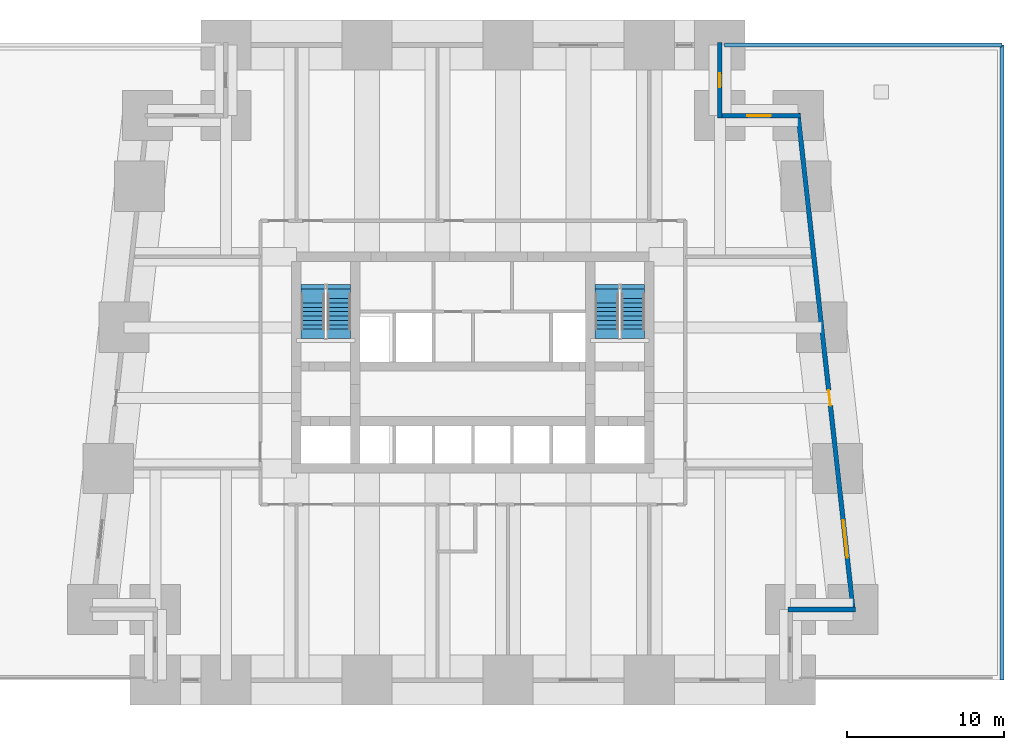
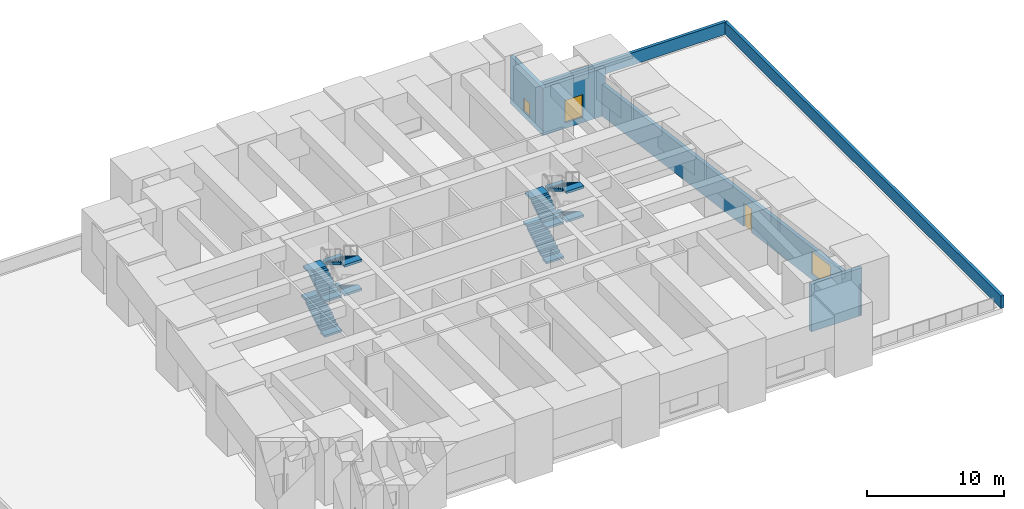
# One storey, part 5 of 7: 8 stair flights, 6 walls, 3 windows, 1 door, 4 openings, 2 elements without a shape of their own.
"""IFC4 building model written with IfcOpenShell, lengths in metres."""

from ifc_helpers import new_model, si_unit, direction, frame, frame_2d, origin, place, context, subcontext, project, spatial, polyline, rectangle, outline, extrude, material, layer, layer_set, type_object, element, fill, aggregate, save


model = new_model("IFC4")

# Units and contexts
model_context = context("Model", 3, precision=1e-05, world=origin(), true_north=direction((0.0, 1.0)))
body_context = subcontext(model_context, "Body", "Model", "MODEL_VIEW")
ifc_project = project(units=[si_unit("LENGTHUNIT", "METRE"), si_unit("AREAUNIT", "SQUARE_METRE"), si_unit("VOLUMEUNIT", "CUBIC_METRE"), si_unit("PLANEANGLEUNIT", "RADIAN"), si_unit("MASSUNIT", "GRAM", prefix="KILO")], contexts=[model_context])

# Site, building, storey
site_placement = place(None, origin())
site = spatial("IfcSite", under=ifc_project, at=site_placement, CompositionType="ELEMENT")
building_placement = place(site_placement, origin())
building = spatial("IfcBuilding", under=site, at=building_placement, Name="Kilele Tower Hotel", CompositionType="ELEMENT")
storey_placement = place(building_placement, frame((0.0, 0.0, 24.0)))
storey = spatial("IfcBuildingStorey", under=building, at=storey_placement, Name="L04", CompositionType="ELEMENT", Elevation=24.0)

# Walls
ifc_material_1 = material(Name="Concrete C40/50 precast", Category="concrete")
ifc_layer_1 = layer(ifc_material_1, 0.2099609375, Name="Precast backing", Category="LoadBearing")
ifc_material_2 = material(Name="Reconstituted stone finish", Category="masonry")
ifc_layer_2 = layer(ifc_material_2, 0.0400390625, Name="Face mix", Category="Finish")
ifc_layer_set_1 = layer_set([ifc_layer_1, ifc_layer_2], Name="Precast concrete C40/50, reconstituted stone finish")
wall_type_1 = type_object("IfcWallType", Name="Parapet wall 250", PredefinedType="PARAPET", material=ifc_layer_set_1)
wall_1_placement = place(storey_placement, frame((40.801025390625, 40.5, 0.0), z_axis=(0.0, 0.0, 1.0), x_axis=(1.0, 0.0, 0.0)))
element("IfcWall", 1, at=wall_1_placement, inside=storey, type_object=wall_type_1, Name="Podium roof parapet", PredefinedType="PARAPET", context=body_context, shape_type="SweptSolid", body=[
    extrude(rectangle(XDim=17.698974609375, YDim=0.25, at=frame_2d((8.849609375, 0.0))), origin(), (0.0, 0.0, 1.0), 1.10009765625),
])
wall_2_placement = place(storey_placement, frame((58.5, 40.5, 0.0), z_axis=(0.0, 0.0, 1.0), x_axis=(0.0, -1.0, 0.0)))
element("IfcWall", 2, at=wall_2_placement, inside=storey, type_object=wall_type_1, Name="Podium roof parapet", PredefinedType="PARAPET", context=body_context, shape_type="SweptSolid", body=[
    extrude(rectangle(XDim=40.5, YDim=0.25, at=frame_2d((20.25, 0.0))), origin(), (0.0, 0.0, 1.0), 1.10009765625),
])
ifc_material_3 = material(Name="Concrete C40/50 precast", Category="concrete")
ifc_layer_3 = layer(ifc_material_3, 0.260009765625, Name="Precast backing", Category="LoadBearing")
ifc_material_4 = material(Name="Reconstituted stone finish", Category="masonry")
ifc_layer_4 = layer(ifc_material_4, 0.0400390625, Name="Face mix", Category="Finish")
ifc_layer_set_2 = layer_set([ifc_layer_3, ifc_layer_4], Name="Precast concrete C40/50, reconstituted stone finish")
wall_type_2 = type_object("IfcWallType", Name="Precast stone facade wall 300", PredefinedType="STANDARD", material=ifc_layer_set_2)
wall_3_placement = place(storey_placement, frame((44.85009765625, 4.5, 0.0), z_axis=(0.0, 0.0, 1.0), x_axis=(1.0, 0.0, 0.0)))
element("IfcWall", 3, at=wall_3_placement, inside=storey, type_object=wall_type_2, Name="Facade wall L04 edge 5", PredefinedType="STANDARD", context=body_context, shape_type="SweptSolid", body=[
    extrude(rectangle(XDim=4.2998046875, YDim=0.300048828125, at=frame_2d((2.14990234375, 0.0))), origin(), (0.0, 0.0, 1.0), 4.25),
])

# Wall, openings, door, window
wall_4_placement = place(storey_placement, frame((49.0166015625, 4.350830078125, 0.0), z_axis=(0.0, 0.0, 1.0), x_axis=(-0.110433201132, 0.993883548555, 0.0)))
wall_4 = element("IfcWall", 4, at=wall_4_placement, inside=storey, type_object=wall_type_2, Name="Facade wall L04 edge 6", PredefinedType="STANDARD", context=body_context, shape_type="SweptSolid", body=[
    extrude(rectangle(XDim=31.994140625, YDim=0.300048828125, at=frame_2d((15.9970703125, 0.0))), origin(), (0.0, 0.0, 1.0), 2.85009765625),
])
opening_1_placement = place(wall_4_placement, frame((3.47802734375, 0.0, 0.5)))
opening_1 = element("IfcOpeningElement", 5, at=opening_1_placement, cuts=wall_4, Name="Opening LV1", PredefinedType="OPENING", context=body_context, shape_type="SweptSolid", body=[
    extrude(rectangle(XDim=2.39990234375, YDim=2.0, at=frame_2d((1.199951171875, 1.0))), frame((0.0, 0.159912109375, 0.0), z_axis=(0.0, -1.0, 0.0), x_axis=(1.0, 0.0, 0.0)), (0.0, 0.0, 1.0), 0.320068359375),
])
opening_2_placement = place(wall_4_placement, frame((13.23291015625, 0.0, 0.0)))
opening_2 = element("IfcOpeningElement", 6, at=opening_2_placement, cuts=wall_4, Name="Opening RD1", PredefinedType="OPENING", context=body_context, shape_type="SweptSolid", body=[
    extrude(rectangle(XDim=1.0, YDim=2.10009765625, at=frame_2d((0.5, 1.050048828125))), frame((0.0, 0.159912109375, 0.0), z_axis=(0.0, -1.0, 0.0), x_axis=(1.0, 0.0, 0.0)), (0.0, 0.0, 1.0), 0.320068359375),
])
ifc_material_5 = material(Name="Aluminium frame, clear glazing", Category="aluminium")
door_type = type_object("IfcDoorType", Name="Roof access door 1000", OperationType="SINGLE_SWING_LEFT", PredefinedType="DOOR", material=ifc_material_5)
door_placement = place(opening_2_placement, origin())
door = element("IfcDoor", 7, at=door_placement, inside=storey, type_object=door_type, Name="Roof access door L04", OperationType="SINGLE_SWING_LEFT", OverallHeight=2.10009765625, OverallWidth=1.0, PredefinedType="DOOR", context=body_context, shape_type="SweptSolid", body=[
    extrude(rectangle(XDim=1.0, YDim=2.10009765625, at=frame_2d((0.5, 1.050048828125))), frame((0.0, 0.02490234375, 0.0), z_axis=(0.0, -1.0, 0.0), x_axis=(1.0, 0.0, 0.0)), (0.0, 0.0, 1.0), 0.050048828125),
])
fill(opening_2, door)
ifc_material_6 = material(Name="Aluminium weather louvre with insect mesh", Category="aluminium")
window_type_1 = type_object("IfcWindowType", Name="Ventilation louvre 2400 x 2000", PartitioningType="SINGLE_PANEL", PredefinedType="USERDEFINED", material=ifc_material_6)
window_1_placement = place(opening_1_placement, origin())
window_1 = element("IfcWindow", 8, at=window_1_placement, inside=storey, type_object=window_type_1, Name="Louvre L04", ObjectType="LOUVRE", OverallHeight=2.0, OverallWidth=2.39990234375, PartitioningType="SINGLE_PANEL", PredefinedType="USERDEFINED", context=body_context, shape_type="SweptSolid", body=[
    extrude(rectangle(XDim=2.39990234375, YDim=2.0, at=frame_2d((1.199951171875, 1.0))), frame((0.0, 0.030029296875, 0.0), z_axis=(0.0, -1.0, 0.0), x_axis=(1.0, 0.0, 0.0)), (0.0, 0.0, 1.0), 0.06005859375),
])
fill(opening_1, window_1)

# Wall, opening, window
wall_5_placement = place(storey_placement, frame((45.64990234375, 36.0, 0.0), z_axis=(0.0, 0.0, 1.0), x_axis=(-1.0, 0.0, 0.0)))
wall_5 = element("IfcWall", 9, at=wall_5_placement, inside=storey, type_object=wall_type_2, Name="Facade wall L04 edge 7", PredefinedType="STANDARD", context=body_context, shape_type="SweptSolid", body=[
    extrude(rectangle(XDim=5.2998046875, YDim=0.300048828125, at=frame_2d((2.64990234375, 0.0))), origin(), (0.0, 0.0, 1.0), 4.25),
])
opening_3_placement = place(wall_5_placement, frame((1.89990234375, 0.0, 0.5)))
opening_3 = element("IfcOpeningElement", 10, at=opening_3_placement, cuts=wall_5, Name="Opening LV1", PredefinedType="OPENING", context=body_context, shape_type="SweptSolid", body=[
    extrude(rectangle(XDim=1.5, YDim=2.0, at=frame_2d((0.75, 1.0))), frame((0.0, 0.159912109375, 0.0), z_axis=(0.0, -1.0, 0.0), x_axis=(1.0, 0.0, 0.0)), (0.0, 0.0, 1.0), 0.320068359375),
])
ifc_material_7 = material(Name="Aluminium weather louvre with insect mesh", Category="aluminium")
window_type_2 = type_object("IfcWindowType", Name="Ventilation louvre 1500 x 2000", PartitioningType="SINGLE_PANEL", PredefinedType="USERDEFINED", material=ifc_material_7)
window_2_placement = place(opening_3_placement, origin())
window_2 = element("IfcWindow", 11, at=window_2_placement, inside=storey, type_object=window_type_2, Name="Louvre L04", ObjectType="LOUVRE", OverallHeight=2.0, OverallWidth=1.5, PartitioningType="SINGLE_PANEL", PredefinedType="USERDEFINED", context=body_context, shape_type="SweptSolid", body=[
    extrude(rectangle(XDim=1.5, YDim=2.0, at=frame_2d((0.75, 1.0))), frame((0.0, 0.030029296875, 0.0), z_axis=(0.0, -1.0, 0.0), x_axis=(1.0, 0.0, 0.0)), (0.0, 0.0, 1.0), 0.06005859375),
])
fill(opening_3, window_2)

wall_6_placement = place(storey_placement, frame((40.5, 35.85009765625, 0.0), z_axis=(0.0, 0.0, 1.0), x_axis=(0.0, 1.0, 0.0)))
wall_6 = element("IfcWall", 12, at=wall_6_placement, inside=storey, type_object=wall_type_2, Name="Facade wall L04 edge 8", PredefinedType="STANDARD", context=body_context, shape_type="SweptSolid", body=[
    extrude(rectangle(XDim=4.7998046875, YDim=0.300048828125, at=frame_2d((2.39990234375, 0.0))), origin(), (0.0, 0.0, 1.0), 4.25),
])
opening_4_placement = place(wall_6_placement, frame((1.949951171875, 0.0, 0.5)))
opening_4 = element("IfcOpeningElement", 13, at=opening_4_placement, cuts=wall_6, Name="Opening LV1", PredefinedType="OPENING", context=body_context, shape_type="SweptSolid", body=[
    extrude(rectangle(XDim=0.89990234375, YDim=1.199951171875, at=frame_2d((0.449951171875, 0.60009765625))), frame((0.0, 0.159912109375, 0.0), z_axis=(0.0, -1.0, 0.0), x_axis=(1.0, 0.0, 0.0)), (0.0, 0.0, 1.0), 0.320068359375),
])
ifc_material_8 = material(Name="Aluminium weather louvre with insect mesh", Category="aluminium")
window_type_3 = type_object("IfcWindowType", Name="Ventilation louvre 900 x 1200", PartitioningType="SINGLE_PANEL", PredefinedType="USERDEFINED", material=ifc_material_8)
window_3_placement = place(opening_4_placement, origin())
window_3 = element("IfcWindow", 14, at=window_3_placement, inside=storey, type_object=window_type_3, Name="Louvre L04", ObjectType="LOUVRE", OverallHeight=1.199951171875, OverallWidth=0.89990234375, PartitioningType="SINGLE_PANEL", PredefinedType="USERDEFINED", context=body_context, shape_type="SweptSolid", body=[
    extrude(rectangle(XDim=0.89990234375, YDim=1.199951171875, at=frame_2d((0.449951171875, 0.60009765625))), frame((0.0, 0.030029296875, 0.0), z_axis=(0.0, -1.0, 0.0), x_axis=(1.0, 0.0, 0.0)), (0.0, 0.0, 1.0), 0.06005859375),
])
fill(opening_4, window_3)

# Stair, stair flights
ifc_material_9 = material(Name="Precast concrete C40/50", Category="concrete")
stair_type = type_object("IfcStairType", Name="Stair 1475 x 5700", PredefinedType="HALF_TURN_STAIR", material=ifc_material_9)
stair_1_placement = place(storey_placement, origin())
stair_1 = element("IfcStair", 15, at=stair_1_placement, inside=storey, type_object=stair_type, Name="Stair 1 L04", PredefinedType="HALF_TURN_STAIR")
ifc_material_10 = material(Name="Precast concrete C40/50", Category="concrete")
stair_flight_type = type_object("IfcStairFlightType", Name="Flight 1475 riser 172.7", PredefinedType="STRAIGHT", material=ifc_material_10)
stair_flight_1_placement = place(storey_placement, frame((14.53759765625, 22.3798828125, 0.0), z_axis=(0.0, 0.0, 1.0), x_axis=(0.0, 1.0, 0.0)))
stair_flight_1 = element("IfcStairFlight", 16, at=stair_flight_1_placement, type_object=stair_flight_type, Name="ST1 flight 1", NumberOfRisers=9, NumberOfTreads=8, PredefinedType="STRAIGHT", RiserHeight=0.172727273, TreadLength=0.28, context=body_context, shape_type="SweptSolid", body=[
    extrude(outline(polyline([(0.0, 0.0), (0.0, 0.172607421875), (0.280029296875, 0.172607421875), (0.280029296875, 0.345458984375), (0.56005859375, 0.345458984375), (0.56005859375, 0.51806640625), (0.840087890625, 0.51806640625), (0.840087890625, 0.69091796875), (1.1201171875, 0.69091796875), (1.1201171875, 0.863525390625), (1.39990234375, 0.863525390625), (1.39990234375, 1.036376953125), (1.679931640625, 1.036376953125), (1.679931640625, 1.208984375), (1.9599609375, 1.208984375), (1.9599609375, 1.3818359375), (2.239990234375, 1.3818359375), (2.239990234375, 1.554443359375), (2.239990234375, 1.20556640625), (0.285400390625, 0.0), (0.0, 0.0)])), frame((0.0, 0.737548828125, 0.0), z_axis=(0.0, -1.0, 0.0), x_axis=(1.0, 0.0, 0.0)), (0.0, 0.0, 1.0), 1.47509765625),
    extrude(outline(polyline([(-0.60498046875, 0.737548828125), (-0.60498046875, -0.7373046875), (0.0, -0.7373046875), (0.0, 0.737548828125), (-0.60498046875, 0.737548828125)])), frame((0.0, 0.0, -0.199951171875)), (0.0, 0.0, 1.0), 0.199951171875),
    extrude(outline(polyline([(2.240234375, 0.737548828125), (2.240234375, -0.7373046875), (2.84521484375, -0.7373046875), (2.84521484375, 0.737548828125), (2.240234375, 0.737548828125)])), frame((0.0, 0.0, 1.3544921875)), (0.0, 0.0, 1.0), 0.199951171875),
])
stair_flight_2_placement = place(storey_placement, frame((16.21240234375, 24.6201171875, 1.554443359375), z_axis=(0.0, 0.0, 1.0), x_axis=(0.0, -1.0, 0.0)))
stair_flight_2 = element("IfcStairFlight", 17, at=stair_flight_2_placement, type_object=stair_flight_type, Name="ST1 flight 2", NumberOfRisers=9, NumberOfTreads=8, PredefinedType="STRAIGHT", RiserHeight=0.172727273, TreadLength=0.28, context=body_context, shape_type="SweptSolid", body=[
    extrude(outline(polyline([(0.0, 0.0), (0.0, 0.172607421875), (0.280029296875, 0.172607421875), (0.280029296875, 0.345458984375), (0.56005859375, 0.345458984375), (0.56005859375, 0.51806640625), (0.840087890625, 0.51806640625), (0.840087890625, 0.69091796875), (1.1201171875, 0.69091796875), (1.1201171875, 0.863525390625), (1.39990234375, 0.863525390625), (1.39990234375, 1.036376953125), (1.679931640625, 1.036376953125), (1.679931640625, 1.208984375), (1.9599609375, 1.208984375), (1.9599609375, 1.3818359375), (2.239990234375, 1.3818359375), (2.239990234375, 1.554443359375), (2.239990234375, 1.20556640625), (0.285400390625, 0.0), (0.0, 0.0)])), frame((0.0, 0.737548828125, 0.0), z_axis=(0.0, -1.0, 0.0), x_axis=(1.0, 0.0, 0.0)), (0.0, 0.0, 1.0), 1.47509765625),
    extrude(outline(polyline([(0.0, -0.7373046875), (0.0, 0.737548828125), (-0.60498046875, 0.737548828125), (-0.60498046875, -0.7373046875), (0.0, -0.7373046875)])), frame((0.0, 0.0, -0.199951171875)), (0.0, 0.0, 1.0), 0.199951171875),
    extrude(outline(polyline([(2.84521484375, -0.7373046875), (2.84521484375, 0.737548828125), (2.240234375, 0.737548828125), (2.240234375, -0.7373046875), (2.84521484375, -0.7373046875)])), frame((0.0, 0.0, 1.354736328125)), (0.0, 0.0, 1.0), 0.199951171875),
])
stair_flight_3_placement = place(storey_placement, frame((14.53759765625, 22.3798828125, 3.109130859375), z_axis=(0.0, 0.0, 1.0), x_axis=(0.0, 1.0, 0.0)))
stair_flight_3 = element("IfcStairFlight", 18, at=stair_flight_3_placement, type_object=stair_flight_type, Name="ST1 flight 3", NumberOfRisers=7, NumberOfTreads=6, PredefinedType="STRAIGHT", RiserHeight=0.172727273, TreadLength=0.28, context=body_context, shape_type="SweptSolid", body=[
    extrude(outline(polyline([(0.0, 0.0), (0.0, 0.172607421875), (0.280029296875, 0.172607421875), (0.280029296875, 0.345458984375), (0.56005859375, 0.345458984375), (0.56005859375, 0.51806640625), (0.840087890625, 0.51806640625), (0.840087890625, 0.69091796875), (1.1201171875, 0.69091796875), (1.1201171875, 0.863525390625), (1.39990234375, 0.863525390625), (1.39990234375, 1.036376953125), (1.679931640625, 1.036376953125), (1.679931640625, 1.208984375), (1.679931640625, 0.8603515625), (0.285400390625, 0.0), (0.0, 0.0)])), frame((0.0, 0.737548828125, 0.0), z_axis=(0.0, -1.0, 0.0), x_axis=(1.0, 0.0, 0.0)), (0.0, 0.0, 1.0), 1.47509765625),
    extrude(outline(polyline([(-0.60498046875, 0.737548828125), (-0.60498046875, -0.7373046875), (0.0, -0.7373046875), (0.0, 0.737548828125), (-0.60498046875, 0.737548828125)])), frame((0.0, 0.0, -0.199951171875)), (0.0, 0.0, 1.0), 0.199951171875),
    extrude(outline(polyline([(1.68017578125, 0.737548828125), (1.68017578125, -0.7373046875), (2.565185546875, -0.7373046875), (2.565185546875, 0.737548828125), (1.68017578125, 0.737548828125)])), frame((0.0, 0.0, 1.009033203125)), (0.0, 0.0, 1.0), 0.199951171875),
])
stair_flight_4_placement = place(storey_placement, frame((16.21240234375, 24.340087890625, 4.318115234375), z_axis=(0.0, 0.0, 1.0), x_axis=(0.0, -1.0, 0.0)))
stair_flight_4 = element("IfcStairFlight", 19, at=stair_flight_4_placement, type_object=stair_flight_type, Name="ST1 flight 4", NumberOfRisers=8, NumberOfTreads=7, PredefinedType="STRAIGHT", RiserHeight=0.172727273, TreadLength=0.28, context=body_context, shape_type="SweptSolid", body=[
    extrude(outline(polyline([(0.0, 0.0), (0.0, 0.172607421875), (0.280029296875, 0.172607421875), (0.280029296875, 0.345458984375), (0.56005859375, 0.345458984375), (0.56005859375, 0.51806640625), (0.840087890625, 0.51806640625), (0.840087890625, 0.69091796875), (1.1201171875, 0.69091796875), (1.1201171875, 0.863525390625), (1.39990234375, 0.863525390625), (1.39990234375, 1.036376953125), (1.679931640625, 1.036376953125), (1.679931640625, 1.208984375), (1.9599609375, 1.208984375), (1.9599609375, 1.3818359375), (1.9599609375, 1.032958984375), (0.285400390625, 0.0), (0.0, 0.0)])), frame((0.0, 0.737548828125, 0.0), z_axis=(0.0, -1.0, 0.0), x_axis=(1.0, 0.0, 0.0)), (0.0, 0.0, 1.0), 1.47509765625),
    extrude(outline(polyline([(0.0, -0.7373046875), (0.0, 0.737548828125), (-0.60498046875, 0.737548828125), (-0.60498046875, -0.7373046875), (0.0, -0.7373046875)])), frame((0.0, 0.0, -0.199951171875)), (0.0, 0.0, 1.0), 0.199951171875),
    extrude(outline(polyline([(2.565185546875, -0.7373046875), (2.565185546875, 0.737548828125), (1.960205078125, 0.737548828125), (1.960205078125, -0.7373046875), (2.565185546875, -0.7373046875)])), frame((0.0, 0.0, 1.181884765625)), (0.0, 0.0, 1.0), 0.199951171875),
])
aggregate(stair_1, [stair_flight_1, stair_flight_2, stair_flight_3, stair_flight_4])

stair_2_placement = place(storey_placement, origin())
stair_2 = element("IfcStair", 20, at=stair_2_placement, inside=storey, type_object=stair_type, Name="Stair 2 L04", PredefinedType="HALF_TURN_STAIR")
stair_flight_5_placement = place(storey_placement, frame((33.28759765625, 22.3798828125, 0.0), z_axis=(0.0, 0.0, 1.0), x_axis=(0.0, 1.0, 0.0)))
stair_flight_5 = element("IfcStairFlight", 21, at=stair_flight_5_placement, type_object=stair_flight_type, Name="ST2 flight 1", NumberOfRisers=9, NumberOfTreads=8, PredefinedType="STRAIGHT", RiserHeight=0.172727273, TreadLength=0.28, context=body_context, shape_type="SweptSolid", body=[
    extrude(outline(polyline([(0.0, 0.0), (0.0, 0.172607421875), (0.280029296875, 0.172607421875), (0.280029296875, 0.345458984375), (0.56005859375, 0.345458984375), (0.56005859375, 0.51806640625), (0.840087890625, 0.51806640625), (0.840087890625, 0.69091796875), (1.1201171875, 0.69091796875), (1.1201171875, 0.863525390625), (1.39990234375, 0.863525390625), (1.39990234375, 1.036376953125), (1.679931640625, 1.036376953125), (1.679931640625, 1.208984375), (1.9599609375, 1.208984375), (1.9599609375, 1.3818359375), (2.239990234375, 1.3818359375), (2.239990234375, 1.554443359375), (2.239990234375, 1.20556640625), (0.285400390625, 0.0), (0.0, 0.0)])), frame((0.0, 0.737548828125, 0.0), z_axis=(0.0, -1.0, 0.0), x_axis=(1.0, 0.0, 0.0)), (0.0, 0.0, 1.0), 1.47509765625),
    extrude(outline(polyline([(-0.60498046875, 0.737548828125), (-0.60498046875, -0.7373046875), (0.0, -0.7373046875), (0.0, 0.737548828125), (-0.60498046875, 0.737548828125)])), frame((0.0, 0.0, -0.199951171875)), (0.0, 0.0, 1.0), 0.199951171875),
    extrude(outline(polyline([(2.240234375, 0.737548828125), (2.240234375, -0.7373046875), (2.84521484375, -0.7373046875), (2.84521484375, 0.737548828125), (2.240234375, 0.737548828125)])), frame((0.0, 0.0, 1.3544921875)), (0.0, 0.0, 1.0), 0.199951171875),
])
stair_flight_6_placement = place(storey_placement, frame((34.96240234375, 24.6201171875, 1.554443359375), z_axis=(0.0, 0.0, 1.0), x_axis=(0.0, -1.0, 0.0)))
stair_flight_6 = element("IfcStairFlight", 22, at=stair_flight_6_placement, type_object=stair_flight_type, Name="ST2 flight 2", NumberOfRisers=9, NumberOfTreads=8, PredefinedType="STRAIGHT", RiserHeight=0.172727273, TreadLength=0.28, context=body_context, shape_type="SweptSolid", body=[
    extrude(outline(polyline([(0.0, 0.0), (0.0, 0.172607421875), (0.280029296875, 0.172607421875), (0.280029296875, 0.345458984375), (0.56005859375, 0.345458984375), (0.56005859375, 0.51806640625), (0.840087890625, 0.51806640625), (0.840087890625, 0.69091796875), (1.1201171875, 0.69091796875), (1.1201171875, 0.863525390625), (1.39990234375, 0.863525390625), (1.39990234375, 1.036376953125), (1.679931640625, 1.036376953125), (1.679931640625, 1.208984375), (1.9599609375, 1.208984375), (1.9599609375, 1.3818359375), (2.239990234375, 1.3818359375), (2.239990234375, 1.554443359375), (2.239990234375, 1.20556640625), (0.285400390625, 0.0), (0.0, 0.0)])), frame((0.0, 0.737548828125, 0.0), z_axis=(0.0, -1.0, 0.0), x_axis=(1.0, 0.0, 0.0)), (0.0, 0.0, 1.0), 1.47509765625),
    extrude(outline(polyline([(0.0, -0.7373046875), (0.0, 0.737548828125), (-0.60498046875, 0.737548828125), (-0.60498046875, -0.7373046875), (0.0, -0.7373046875)])), frame((0.0, 0.0, -0.199951171875)), (0.0, 0.0, 1.0), 0.199951171875),
    extrude(outline(polyline([(2.84521484375, -0.7373046875), (2.84521484375, 0.737548828125), (2.240234375, 0.737548828125), (2.240234375, -0.7373046875), (2.84521484375, -0.7373046875)])), frame((0.0, 0.0, 1.354736328125)), (0.0, 0.0, 1.0), 0.199951171875),
])
stair_flight_7_placement = place(storey_placement, frame((33.28759765625, 22.3798828125, 3.109130859375), z_axis=(0.0, 0.0, 1.0), x_axis=(0.0, 1.0, 0.0)))
stair_flight_7 = element("IfcStairFlight", 23, at=stair_flight_7_placement, type_object=stair_flight_type, Name="ST2 flight 3", NumberOfRisers=7, NumberOfTreads=6, PredefinedType="STRAIGHT", RiserHeight=0.172727273, TreadLength=0.28, context=body_context, shape_type="SweptSolid", body=[
    extrude(outline(polyline([(0.0, 0.0), (0.0, 0.172607421875), (0.280029296875, 0.172607421875), (0.280029296875, 0.345458984375), (0.56005859375, 0.345458984375), (0.56005859375, 0.51806640625), (0.840087890625, 0.51806640625), (0.840087890625, 0.69091796875), (1.1201171875, 0.69091796875), (1.1201171875, 0.863525390625), (1.39990234375, 0.863525390625), (1.39990234375, 1.036376953125), (1.679931640625, 1.036376953125), (1.679931640625, 1.208984375), (1.679931640625, 0.8603515625), (0.285400390625, 0.0), (0.0, 0.0)])), frame((0.0, 0.737548828125, 0.0), z_axis=(0.0, -1.0, 0.0), x_axis=(1.0, 0.0, 0.0)), (0.0, 0.0, 1.0), 1.47509765625),
    extrude(outline(polyline([(-0.60498046875, 0.737548828125), (-0.60498046875, -0.7373046875), (0.0, -0.7373046875), (0.0, 0.737548828125), (-0.60498046875, 0.737548828125)])), frame((0.0, 0.0, -0.199951171875)), (0.0, 0.0, 1.0), 0.199951171875),
    extrude(outline(polyline([(1.68017578125, 0.737548828125), (1.68017578125, -0.7373046875), (2.565185546875, -0.7373046875), (2.565185546875, 0.737548828125), (1.68017578125, 0.737548828125)])), frame((0.0, 0.0, 1.009033203125)), (0.0, 0.0, 1.0), 0.199951171875),
])
stair_flight_8_placement = place(storey_placement, frame((34.96240234375, 24.340087890625, 4.318115234375), z_axis=(0.0, 0.0, 1.0), x_axis=(0.0, -1.0, 0.0)))
stair_flight_8 = element("IfcStairFlight", 24, at=stair_flight_8_placement, type_object=stair_flight_type, Name="ST2 flight 4", NumberOfRisers=8, NumberOfTreads=7, PredefinedType="STRAIGHT", RiserHeight=0.172727273, TreadLength=0.28, context=body_context, shape_type="SweptSolid", body=[
    extrude(outline(polyline([(0.0, 0.0), (0.0, 0.172607421875), (0.280029296875, 0.172607421875), (0.280029296875, 0.345458984375), (0.56005859375, 0.345458984375), (0.56005859375, 0.51806640625), (0.840087890625, 0.51806640625), (0.840087890625, 0.69091796875), (1.1201171875, 0.69091796875), (1.1201171875, 0.863525390625), (1.39990234375, 0.863525390625), (1.39990234375, 1.036376953125), (1.679931640625, 1.036376953125), (1.679931640625, 1.208984375), (1.9599609375, 1.208984375), (1.9599609375, 1.3818359375), (1.9599609375, 1.032958984375), (0.285400390625, 0.0), (0.0, 0.0)])), frame((0.0, 0.737548828125, 0.0), z_axis=(0.0, -1.0, 0.0), x_axis=(1.0, 0.0, 0.0)), (0.0, 0.0, 1.0), 1.47509765625),
    extrude(outline(polyline([(0.0, -0.7373046875), (0.0, 0.737548828125), (-0.60498046875, 0.737548828125), (-0.60498046875, -0.7373046875), (0.0, -0.7373046875)])), frame((0.0, 0.0, -0.199951171875)), (0.0, 0.0, 1.0), 0.199951171875),
    extrude(outline(polyline([(2.565185546875, -0.7373046875), (2.565185546875, 0.737548828125), (1.960205078125, 0.737548828125), (1.960205078125, -0.7373046875), (2.565185546875, -0.7373046875)])), frame((0.0, 0.0, 1.181884765625)), (0.0, 0.0, 1.0), 0.199951171875),
])
aggregate(stair_2, [stair_flight_5, stair_flight_6, stair_flight_7, stair_flight_8])

save(model, "model.ifc")
